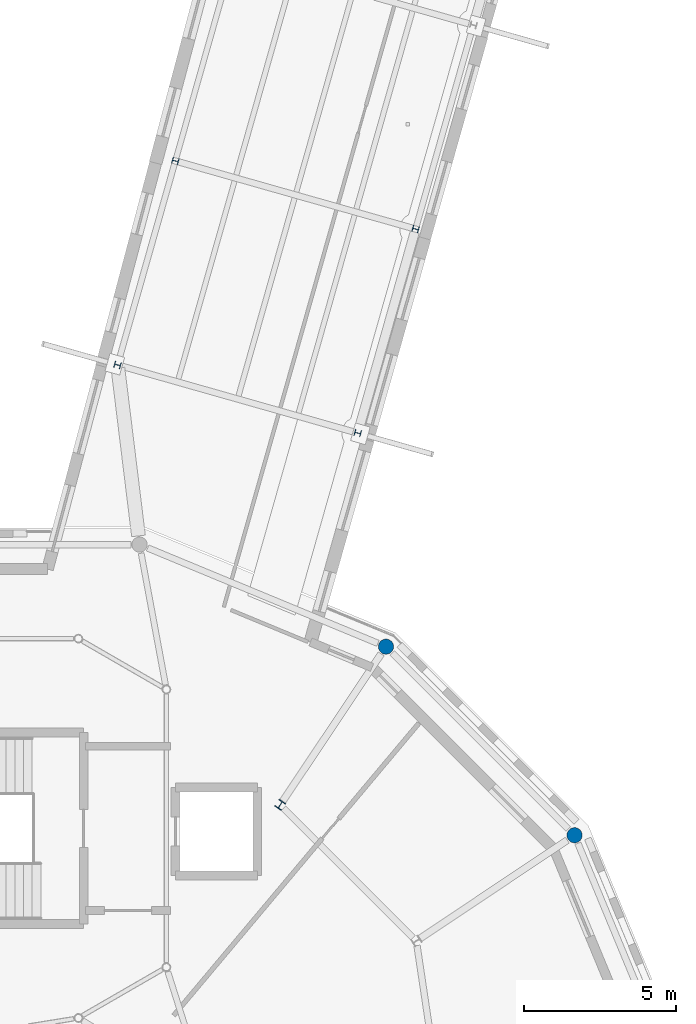
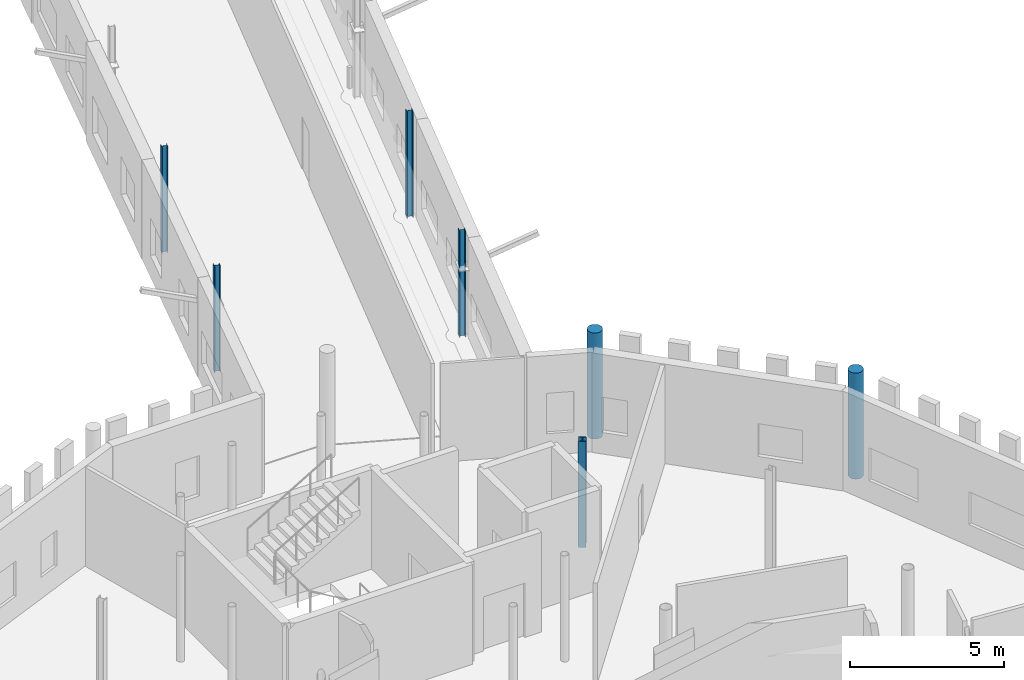
# One storey, part 15 of 90: 7 columns.
"""IFC4 building model written with IfcOpenShell, lengths in metres."""

from ifc_helpers import new_model, si_unit, direction, frame, origin, origin_2d, place, context, subcontext, project, spatial, circle, i_section, extrude, material, material_profile, profile_set, type_object, element, save


model = new_model("IFC4")

# Units and contexts
model_context = context("Model", 3, precision=1e-05, world=origin(), true_north=direction((0.0, 1.0)))
body_context = subcontext(model_context, "Body", "Model", "MODEL_VIEW")
ifc_project = project(units=[si_unit("LENGTHUNIT", "METRE"), si_unit("AREAUNIT", "SQUARE_METRE"), si_unit("VOLUMEUNIT", "CUBIC_METRE"), si_unit("PLANEANGLEUNIT", "RADIAN"), si_unit("MASSUNIT", "GRAM", prefix="KILO")], contexts=[model_context])

# Site, building, storey
site_placement = place(None, origin())
site = spatial("IfcSite", under=ifc_project, at=site_placement, CompositionType="ELEMENT")
building_placement = place(site_placement, origin())
building = spatial("IfcBuilding", under=site, at=building_placement, Name="Wrenclough Park School", CompositionType="ELEMENT")
storey_placement = place(building_placement, frame((0.0, 0.0, 8.39990234375)))
storey = spatial("IfcBuildingStorey", under=building, at=storey_placement, Name="L02", CompositionType="ELEMENT", Elevation=8.39990234375)

# Columns
ifc_material_1 = material(Name="Concrete C40/50", Category="concrete")
ifc_material_profile_1 = material_profile(ifc_material_1, circle(Radius=0.25, at=origin_2d()), Name="RC COL D500")
ifc_profile_set_1 = profile_set([ifc_material_profile_1], Name="Concrete C40/50")
column_type_1 = type_object("IfcColumnType", Name="STR-COL-RCD500", PredefinedType="COLUMN", material=ifc_profile_set_1)
for number, where, z_axis, x_axis, name in (
    (1, (174.16650390625, 38.97265625, 0.0), (0.0, 0.0, 1.0), (-0.55557023302, 0.831469612303, 0.0), "D1 L02 column D1-OUT-02"),
    (2, (167.97265625, 45.16650390625, 0.0), (0.0, 0.0, 1.0), (-0.831469612303, 0.55557023302, 0.0), "D1 L02 column D1-OUT-03"),
):
    element("IfcColumn", number, at=place(storey_placement, frame(where, z_axis=z_axis, x_axis=x_axis)), inside=storey, type_object=column_type_1, Name=name, PredefinedType="COLUMN", context=body_context, shape_type="SweptSolid", body=[
        extrude(circle(Radius=0.25, at=origin_2d()), origin(), (0.0, 0.0, 1.0), 4.2001953125),
    ])
ifc_material_2 = material(Name="Structural steel S355", Category="steel")
ifc_material_profile_2 = material_profile(ifc_material_2, i_section(OverallWidth=0.20361328125, OverallDepth=0.203125, WebThickness=0.007080078125, FlangeThickness=0.010986328125, FilletRadius=0.01025390625, at=origin_2d()), Name="UKC 203x203x46")
ifc_profile_set_2 = profile_set([ifc_material_profile_2], Name="Structural steel S355")
column_type_2 = type_object("IfcColumnType", Name="STR-COL-UKC203A", PredefinedType="COLUMN", material=ifc_profile_set_2)
for number, where, z_axis, x_axis, name in (
    (3, (159.155517578125, 54.418701171875, 0.0), (0.0, 0.0, 1.0), (0.272784025857, 0.962075296033, 0.0), "W14 L02 column W14-C1-L04"),
    (4, (167.04443359375, 52.181396484375, 0.0), (0.0, 0.0, 1.0), (0.272784025857, 0.962075296033, 0.0), "W14 L02 column W14-C1-R04"),
    (5, (161.055419921875, 61.11865234375, 0.0), (0.0, 0.0, 1.0), (0.272784025857, 0.962075296033, 0.0), "W14 L02 column W14-C1-L05"),
    (6, (168.944580078125, 58.88134765625, 0.0), (0.0, 0.0, 1.0), (0.272784025857, 0.962075296033, 0.0), "W14 L02 column W14-C1-R05"),
):
    element("IfcColumn", number, at=place(storey_placement, frame(where, z_axis=z_axis, x_axis=x_axis)), inside=storey, type_object=column_type_2, Name=name, PredefinedType="COLUMN", context=body_context, shape_type="SweptSolid", body=[
        extrude(i_section(OverallWidth=0.20361328125, OverallDepth=0.203125, WebThickness=0.007080078125, FlangeThickness=0.010986328125, FilletRadius=0.01025390625, at=origin_2d()), origin(), (0.0, 0.0, 1.0), 4.2001953125),
    ])
ifc_material_profile_3 = material_profile(ifc_material_2, i_section(OverallWidth=0.2587890625, OverallDepth=0.2666015625, WebThickness=0.0126953125, FlangeThickness=0.0205078125, FilletRadius=0.0126953125, at=origin_2d()), Name="UKC 254x254x107")
ifc_profile_set_3 = profile_set([ifc_material_profile_3], Name="Structural steel S355")
column_type_3 = type_object("IfcColumnType", Name="STR-COL-UKC254B", PredefinedType="COLUMN", material=ifc_profile_set_3)
column_placement = place(storey_placement, frame((164.500244140625, 39.9697265625, 0.0), z_axis=(0.0, 0.0, 1.0), x_axis=(-0.831469612303, 0.55557023302, 0.0)))
element("IfcColumn", 7, at=column_placement, inside=storey, type_object=column_type_3, Name="D1 L02 column D1-MID-03", PredefinedType="COLUMN", context=body_context, shape_type="SweptSolid", body=[
    extrude(i_section(OverallWidth=0.2587890625, OverallDepth=0.2666015625, WebThickness=0.0126953125, FlangeThickness=0.0205078125, FilletRadius=0.0126953125, at=origin_2d()), origin(), (0.0, 0.0, 1.0), 4.2001953125),
])

save(model, "model.ifc")
